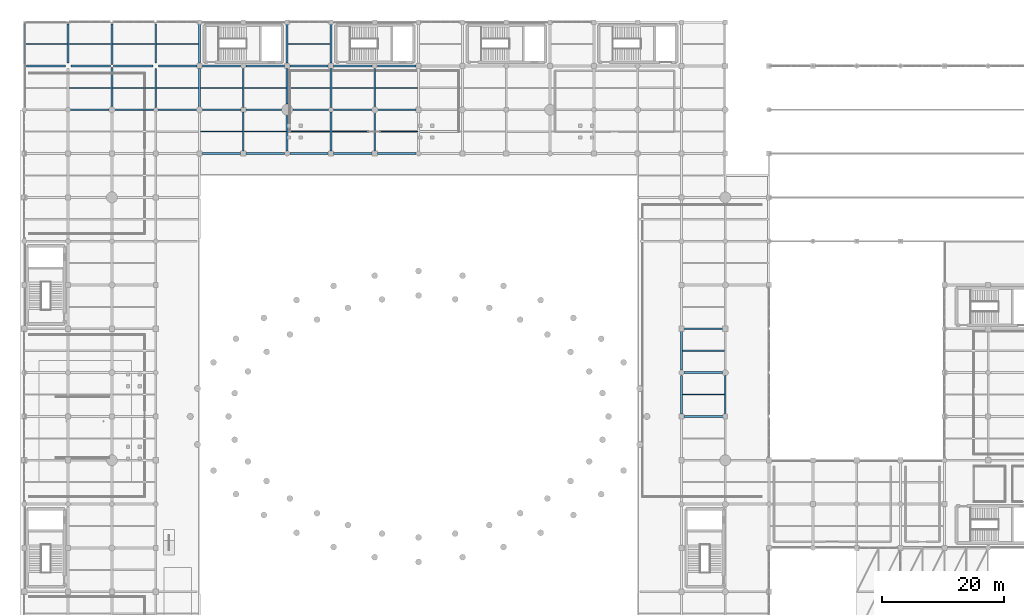
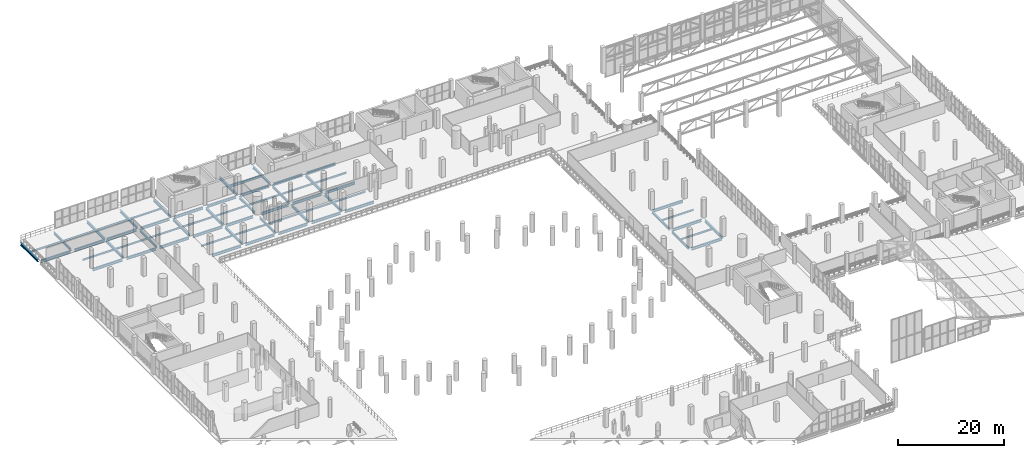
# One storey, part 52 of 153: 66 beams.
"""IFC4 building model written with IfcOpenShell, lengths in metres."""

from ifc_helpers import new_model, si_unit, direction, frame, origin, origin_2d, place, context, subcontext, project, spatial, i_section, extrude, material, material_profile, profile_set, type_object, element, save


model = new_model("IFC4")

# Units and contexts
model_context = context("Model", 3, precision=1e-05, world=origin(), true_north=direction((0.0, 1.0)))
body_context = subcontext(model_context, "Body", "Model", "MODEL_VIEW")
ifc_project = project(units=[si_unit("LENGTHUNIT", "METRE"), si_unit("AREAUNIT", "SQUARE_METRE"), si_unit("VOLUMEUNIT", "CUBIC_METRE"), si_unit("PLANEANGLEUNIT", "RADIAN"), si_unit("MASSUNIT", "GRAM", prefix="KILO")], contexts=[model_context])

# Site, building, storey
site_placement = place(None, origin())
site = spatial("IfcSite", under=ifc_project, at=site_placement, CompositionType="ELEMENT")
building_placement = place(site_placement, origin())
building = spatial("IfcBuilding", under=site, at=building_placement, Name="Qandorah Velis Arena", CompositionType="ELEMENT")
storey_placement = place(building_placement, frame((0.0, 0.0, 5.39990234375)))
storey = spatial("IfcBuildingStorey", under=building, at=storey_placement, Name="L01", CompositionType="ELEMENT", Elevation=5.39990234375)

# Beams
ifc_material = material(Name="Steel S355", Category="steel")
ifc_material_profile_1 = material_profile(ifc_material, i_section(OverallWidth=0.300048828125, OverallDepth=0.550048828125, WebThickness=0.014892578125, FlangeThickness=0.029052734375, FilletRadius=0.027099609375, at=origin_2d()), Name="HEB 550")
ifc_profile_set_1 = profile_set([ifc_material_profile_1], Name="Steel S355")
beam_type_1 = type_object("IfcBeamType", Name="STR-BM-HEB550", PredefinedType="BEAM", material=ifc_profile_set_1)
beam_1_placement = place(storey_placement, frame((0.0, 122.800048828125, -0.635009765625), z_axis=(0.0, 1.0, 0.0), x_axis=(-1.0, 0.0, 0.0)))
element("IfcBeam", 1, at=beam_1_placement, inside=storey, type_object=beam_type_1, Name="Primary floor girder L01 Y-237", PredefinedType="BEAM", context=body_context, shape_type="SweptSolid", body=[
    extrude(i_section(OverallWidth=0.300048828125, OverallDepth=0.550048828125, WebThickness=0.014892578125, FlangeThickness=0.029052734375, FilletRadius=0.027099609375, at=origin_2d()), origin(), (0.0, 0.0, 1.0), 6.5),
])
beam_2_placement = place(storey_placement, frame((7.199951171875, 122.85009765625, -0.635009765625), z_axis=(0.0, 1.0, 0.0), x_axis=(-1.0, 0.0, 0.0)))
element("IfcBeam", 2, at=beam_2_placement, inside=storey, type_object=beam_type_1, Name="Primary floor girder L01 Y-255", PredefinedType="BEAM", context=body_context, shape_type="SweptSolid", body=[
    extrude(i_section(OverallWidth=0.300048828125, OverallDepth=0.550048828125, WebThickness=0.014892578125, FlangeThickness=0.029052734375, FilletRadius=0.027099609375, at=origin_2d()), origin(), (0.0, 0.0, 1.0), 6.449951171875),
])
beam_3_placement = place(storey_placement, frame((14.39990234375, 115.64990234375, -0.635009765625), z_axis=(0.0, 1.0, 0.0), x_axis=(-1.0, 0.0, 0.0)))
element("IfcBeam", 3, at=beam_3_placement, inside=storey, type_object=beam_type_1, Name="Primary floor girder L01 Y-272", PredefinedType="BEAM", context=body_context, shape_type="SweptSolid", body=[
    extrude(i_section(OverallWidth=0.300048828125, OverallDepth=0.550048828125, WebThickness=0.014892578125, FlangeThickness=0.029052734375, FilletRadius=0.027099609375, at=origin_2d()), origin(), (0.0, 0.0, 1.0), 6.5),
])
beam_4_placement = place(storey_placement, frame((14.39990234375, 122.64990234375, -0.635009765625), z_axis=(0.0, 1.0, 0.0), x_axis=(-1.0, 0.0, 0.0)))
element("IfcBeam", 4, at=beam_4_placement, inside=storey, type_object=beam_type_1, Name="Primary floor girder L01 Y-273", PredefinedType="BEAM", context=body_context, shape_type="SweptSolid", body=[
    extrude(i_section(OverallWidth=0.300048828125, OverallDepth=0.550048828125, WebThickness=0.014892578125, FlangeThickness=0.029052734375, FilletRadius=0.027099609375, at=origin_2d()), origin(), (0.0, 0.0, 1.0), 6.650146484375),
])
beam_5_placement = place(storey_placement, frame((21.60009765625, 115.60009765625, -0.635009765625), z_axis=(0.0, 1.0, 0.0), x_axis=(-1.0, 0.0, 0.0)))
element("IfcBeam", 5, at=beam_5_placement, inside=storey, type_object=beam_type_1, Name="Primary floor girder L01 Y-290", PredefinedType="BEAM", context=body_context, shape_type="SweptSolid", body=[
    extrude(i_section(OverallWidth=0.300048828125, OverallDepth=0.550048828125, WebThickness=0.014892578125, FlangeThickness=0.029052734375, FilletRadius=0.027099609375, at=origin_2d()), origin(), (0.0, 0.0, 1.0), 6.349853515625),
])
beam_6_placement = place(storey_placement, frame((21.60009765625, 122.85009765625, -0.635009765625), z_axis=(0.0, 1.0, 0.0), x_axis=(-1.0, 0.0, 0.0)))
element("IfcBeam", 6, at=beam_6_placement, inside=storey, type_object=beam_type_1, Name="Primary floor girder L01 Y-291", PredefinedType="BEAM", context=body_context, shape_type="SweptSolid", body=[
    extrude(i_section(OverallWidth=0.300048828125, OverallDepth=0.550048828125, WebThickness=0.014892578125, FlangeThickness=0.029052734375, FilletRadius=0.027099609375, at=origin_2d()), origin(), (0.0, 0.0, 1.0), 6.449951171875),
])
beam_7_placement = place(storey_placement, frame((28.800048828125, 115.64990234375, -0.635009765625), z_axis=(0.0, 1.0, 0.0), x_axis=(-1.0, 0.0, 0.0)))
element("IfcBeam", 7, at=beam_7_placement, inside=storey, type_object=beam_type_1, Name="Primary floor girder L01 Y-300", PredefinedType="BEAM", context=body_context, shape_type="SweptSolid", body=[
    extrude(i_section(OverallWidth=0.300048828125, OverallDepth=0.550048828125, WebThickness=0.014892578125, FlangeThickness=0.029052734375, FilletRadius=0.027099609375, at=origin_2d()), origin(), (0.0, 0.0, 1.0), 6.300048828125),
])
beam_8_placement = place(storey_placement, frame((28.800048828125, 122.85009765625, -0.635009765625), z_axis=(0.0, 1.0, 0.0), x_axis=(-1.0, 0.0, 0.0)))
element("IfcBeam", 8, at=beam_8_placement, inside=storey, type_object=beam_type_1, Name="Primary floor girder L01 Y-301", PredefinedType="BEAM", context=body_context, shape_type="SweptSolid", body=[
    extrude(i_section(OverallWidth=0.300048828125, OverallDepth=0.550048828125, WebThickness=0.014892578125, FlangeThickness=0.029052734375, FilletRadius=0.027099609375, at=origin_2d()), origin(), (0.0, 0.0, 1.0), 6.449951171875),
])
beam_9_placement = place(storey_placement, frame((36.0, 108.449951171875, -0.635009765625), z_axis=(0.0, 1.0, 0.0), x_axis=(-1.0, 0.0, 0.0)))
element("IfcBeam", 9, at=beam_9_placement, inside=storey, type_object=beam_type_1, Name="Primary floor girder L01 Y-304", PredefinedType="BEAM", context=body_context, shape_type="SweptSolid", body=[
    extrude(i_section(OverallWidth=0.300048828125, OverallDepth=0.550048828125, WebThickness=0.014892578125, FlangeThickness=0.029052734375, FilletRadius=0.027099609375, at=origin_2d()), origin(), (0.0, 0.0, 1.0), 6.35009765625),
])
beam_10_placement = place(storey_placement, frame((36.0, 115.60009765625, -0.635009765625), z_axis=(0.0, 1.0, 0.0), x_axis=(-1.0, 0.0, 0.0)))
element("IfcBeam", 10, at=beam_10_placement, inside=storey, type_object=beam_type_1, Name="Primary floor girder L01 Y-305", PredefinedType="BEAM", context=body_context, shape_type="SweptSolid", body=[
    extrude(i_section(OverallWidth=0.300048828125, OverallDepth=0.550048828125, WebThickness=0.014892578125, FlangeThickness=0.029052734375, FilletRadius=0.027099609375, at=origin_2d()), origin(), (0.0, 0.0, 1.0), 6.349853515625),
])
for number, where, z_axis, x_axis, name in (
    (11, (43.199951171875, 108.449951171875, -0.635009765625), (0.0, 1.0, 0.0), (-1.0, 0.0, 0.0), "Primary floor girder L01 Y-309"),
    (12, (43.199951171875, 116.14990234375, -0.635009765625), (0.0, 1.0, 0.0), (-1.0, 0.0, 0.0), "Primary floor girder L01 Y-310"),
):
    element("IfcBeam", number, at=place(storey_placement, frame(where, z_axis=z_axis, x_axis=x_axis)), inside=storey, type_object=beam_type_1, Name=name, PredefinedType="BEAM", context=body_context, shape_type="SweptSolid", body=[
        extrude(i_section(OverallWidth=0.300048828125, OverallDepth=0.550048828125, WebThickness=0.014892578125, FlangeThickness=0.029052734375, FilletRadius=0.027099609375, at=origin_2d()), origin(), (0.0, 0.0, 1.0), 5.800048828125),
    ])
beam_11_placement = place(storey_placement, frame((43.199951171875, 122.85009765625, -0.635009765625), z_axis=(0.0, 1.0, 0.0), x_axis=(-1.0, 0.0, 0.0)))
element("IfcBeam", 13, at=beam_11_placement, inside=storey, type_object=beam_type_1, Name="Primary floor girder L01 Y-311", PredefinedType="BEAM", context=body_context, shape_type="SweptSolid", body=[
    extrude(i_section(OverallWidth=0.300048828125, OverallDepth=0.550048828125, WebThickness=0.014892578125, FlangeThickness=0.029052734375, FilletRadius=0.027099609375, at=origin_2d()), origin(), (0.0, 0.0, 1.0), 6.449951171875),
])
beam_12_placement = place(storey_placement, frame((50.39990234375, 108.449951171875, -0.635009765625), z_axis=(0.0, 1.0, 0.0), x_axis=(-1.0, 0.0, 0.0)))
element("IfcBeam", 14, at=beam_12_placement, inside=storey, type_object=beam_type_1, Name="Primary floor girder L01 Y-315", PredefinedType="BEAM", context=body_context, shape_type="SweptSolid", body=[
    extrude(i_section(OverallWidth=0.300048828125, OverallDepth=0.550048828125, WebThickness=0.014892578125, FlangeThickness=0.029052734375, FilletRadius=0.027099609375, at=origin_2d()), origin(), (0.0, 0.0, 1.0), 6.35009765625),
])
beam_13_placement = place(storey_placement, frame((50.39990234375, 115.60009765625, -0.635009765625), z_axis=(0.0, 1.0, 0.0), x_axis=(-1.0, 0.0, 0.0)))
element("IfcBeam", 15, at=beam_13_placement, inside=storey, type_object=beam_type_1, Name="Primary floor girder L01 Y-316", PredefinedType="BEAM", context=body_context, shape_type="SweptSolid", body=[
    extrude(i_section(OverallWidth=0.300048828125, OverallDepth=0.550048828125, WebThickness=0.014892578125, FlangeThickness=0.029052734375, FilletRadius=0.027099609375, at=origin_2d()), origin(), (0.0, 0.0, 1.0), 6.349853515625),
])
beam_14_placement = place(storey_placement, frame((50.39990234375, 122.85009765625, -0.635009765625), z_axis=(0.0, 1.0, 0.0), x_axis=(-1.0, 0.0, 0.0)))
element("IfcBeam", 16, at=beam_14_placement, inside=storey, type_object=beam_type_1, Name="Primary floor girder L01 Y-317", PredefinedType="BEAM", context=body_context, shape_type="SweptSolid", body=[
    extrude(i_section(OverallWidth=0.300048828125, OverallDepth=0.550048828125, WebThickness=0.014892578125, FlangeThickness=0.029052734375, FilletRadius=0.027099609375, at=origin_2d()), origin(), (0.0, 0.0, 1.0), 6.449951171875),
])
for number, where, z_axis, x_axis, name in (
    (17, (57.60009765625, 108.449951171875, -0.635009765625), (0.0, 1.0, 0.0), (-1.0, 0.0, 0.0), "Primary floor girder L01 Y-320"),
    (18, (57.60009765625, 115.64990234375, -0.635009765625), (0.0, 1.0, 0.0), (-1.0, 0.0, 0.0), "Primary floor girder L01 Y-321"),
):
    element("IfcBeam", number, at=place(storey_placement, frame(where, z_axis=z_axis, x_axis=x_axis)), inside=storey, type_object=beam_type_1, Name=name, PredefinedType="BEAM", context=body_context, shape_type="SweptSolid", body=[
        extrude(i_section(OverallWidth=0.300048828125, OverallDepth=0.550048828125, WebThickness=0.014892578125, FlangeThickness=0.029052734375, FilletRadius=0.027099609375, at=origin_2d()), origin(), (0.0, 0.0, 1.0), 6.300048828125),
    ])
beam_15_placement = place(storey_placement, frame((108.0, 65.199951171875, -0.635009765625), z_axis=(0.0, 1.0, 0.0), x_axis=(-1.0, 0.0, 0.0)))
element("IfcBeam", 19, at=beam_15_placement, inside=storey, type_object=beam_type_1, Name="Primary floor girder L01 Y-368", PredefinedType="BEAM", context=body_context, shape_type="SweptSolid", body=[
    extrude(i_section(OverallWidth=0.300048828125, OverallDepth=0.550048828125, WebThickness=0.014892578125, FlangeThickness=0.029052734375, FilletRadius=0.027099609375, at=origin_2d()), origin(), (0.0, 0.0, 1.0), 6.35009765625),
])
for number, where, z_axis, x_axis, name in (
    (20, (108.0, 72.449951171875, -0.635009765625), (0.0, 1.0, 0.0), (-1.0, 0.0, 0.0), "Primary floor girder L01 Y-369"),
    (21, (115.199951171875, 65.050048828125, -0.635009765625), (0.0, 1.0, 0.0), (-1.0, 0.0, 0.0), "Primary floor girder L01 Y-385"),
):
    element("IfcBeam", number, at=place(storey_placement, frame(where, z_axis=z_axis, x_axis=x_axis)), inside=storey, type_object=beam_type_1, Name=name, PredefinedType="BEAM", context=body_context, shape_type="SweptSolid", body=[
        extrude(i_section(OverallWidth=0.300048828125, OverallDepth=0.550048828125, WebThickness=0.014892578125, FlangeThickness=0.029052734375, FilletRadius=0.027099609375, at=origin_2d()), origin(), (0.0, 0.0, 1.0), 6.5),
    ])
ifc_material_profile_2 = material_profile(ifc_material, i_section(OverallWidth=0.300048828125, OverallDepth=0.60009765625, WebThickness=0.015380859375, FlangeThickness=0.030029296875, FilletRadius=0.027099609375, at=origin_2d()), Name="HEB 600")
ifc_profile_set_2 = profile_set([ifc_material_profile_2], Name="Steel S355")
beam_type_2 = type_object("IfcBeamType", Name="STR-BM-HEB600", PredefinedType="BEAM", material=ifc_profile_set_2)
beam_16_placement = place(storey_placement, frame((108.39990234375, 64.800048828125, -0.659912109375), z_axis=(1.0, 0.0, 0.0), x_axis=(0.0, 1.0, 0.0)))
element("IfcBeam", 22, at=beam_16_placement, inside=storey, type_object=beam_type_2, Name="Primary floor girder L01 X-112", PredefinedType="BEAM", context=body_context, shape_type="SweptSolid", body=[
    extrude(i_section(OverallWidth=0.300048828125, OverallDepth=0.60009765625, WebThickness=0.015380859375, FlangeThickness=0.030029296875, FilletRadius=0.027099609375, at=origin_2d()), origin(), (0.0, 0.0, 1.0), 6.550048828125),
])
beam_17_placement = place(storey_placement, frame((108.449951171875, 72.0, -0.659912109375), z_axis=(1.0, 0.0, 0.0), x_axis=(0.0, 1.0, 0.0)))
element("IfcBeam", 23, at=beam_17_placement, inside=storey, type_object=beam_type_2, Name="Primary floor girder L01 X-119", PredefinedType="BEAM", context=body_context, shape_type="SweptSolid", body=[
    extrude(i_section(OverallWidth=0.300048828125, OverallDepth=0.60009765625, WebThickness=0.015380859375, FlangeThickness=0.030029296875, FilletRadius=0.027099609375, at=origin_2d()), origin(), (0.0, 0.0, 1.0), 6.300048828125),
])
beam_18_placement = place(storey_placement, frame((108.25, 79.199951171875, -0.659912109375), z_axis=(1.0, 0.0, 0.0), x_axis=(0.0, 1.0, 0.0)))
element("IfcBeam", 24, at=beam_18_placement, inside=storey, type_object=beam_type_2, Name="Primary floor girder L01 X-126", PredefinedType="BEAM", context=body_context, shape_type="SweptSolid", body=[
    extrude(i_section(OverallWidth=0.300048828125, OverallDepth=0.60009765625, WebThickness=0.015380859375, FlangeThickness=0.030029296875, FilletRadius=0.027099609375, at=origin_2d()), origin(), (0.0, 0.0, 1.0), 6.550048828125),
])
for number, where, z_axis, x_axis, name in (
    (25, (29.25, 108.0, -0.659912109375), (1.0, 0.0, 0.0), (0.0, 1.0, 0.0), "Primary floor girder L01 X-157"),
    (26, (36.449951171875, 108.0, -0.659912109375), (1.0, 0.0, 0.0), (0.0, 1.0, 0.0), "Primary floor girder L01 X-158"),
    (27, (43.64990234375, 108.0, -0.659912109375), (1.0, 0.0, 0.0), (0.0, 1.0, 0.0), "Primary floor girder L01 X-159"),
):
    element("IfcBeam", number, at=place(storey_placement, frame(where, z_axis=z_axis, x_axis=x_axis)), inside=storey, type_object=beam_type_2, Name=name, PredefinedType="BEAM", context=body_context, shape_type="SweptSolid", body=[
        extrude(i_section(OverallWidth=0.300048828125, OverallDepth=0.60009765625, WebThickness=0.015380859375, FlangeThickness=0.030029296875, FilletRadius=0.027099609375, at=origin_2d()), origin(), (0.0, 0.0, 1.0), 6.300048828125),
    ])
beam_19_placement = place(storey_placement, frame((50.85009765625, 108.0, -0.659912109375), z_axis=(1.0, 0.0, 0.0), x_axis=(0.0, 1.0, 0.0)))
element("IfcBeam", 28, at=beam_19_placement, inside=storey, type_object=beam_type_2, Name="Primary floor girder L01 X-160", PredefinedType="BEAM", context=body_context, shape_type="SweptSolid", body=[
    extrude(i_section(OverallWidth=0.300048828125, OverallDepth=0.60009765625, WebThickness=0.015380859375, FlangeThickness=0.030029296875, FilletRadius=0.027099609375, at=origin_2d()), origin(), (0.0, 0.0, 1.0), 6.2998046875),
])
beam_20_placement = place(storey_placement, frame((58.050048828125, 108.0, -0.659912109375), z_axis=(1.0, 0.0, 0.0), x_axis=(0.0, 1.0, 0.0)))
element("IfcBeam", 29, at=beam_20_placement, inside=storey, type_object=beam_type_2, Name="Primary floor girder L01 X-161", PredefinedType="BEAM", context=body_context, shape_type="SweptSolid", body=[
    extrude(i_section(OverallWidth=0.300048828125, OverallDepth=0.60009765625, WebThickness=0.015380859375, FlangeThickness=0.030029296875, FilletRadius=0.027099609375, at=origin_2d()), origin(), (0.0, 0.0, 1.0), 6.300048828125),
])
beam_21_placement = place(storey_placement, frame((7.449951171875, 115.199951171875, -0.659912109375), z_axis=(1.0, 0.0, 0.0), x_axis=(0.0, 1.0, 0.0)))
element("IfcBeam", 30, at=beam_21_placement, inside=storey, type_object=beam_type_2, Name="Primary floor girder L01 X-171", PredefinedType="BEAM", context=body_context, shape_type="SweptSolid", body=[
    extrude(i_section(OverallWidth=0.300048828125, OverallDepth=0.60009765625, WebThickness=0.015380859375, FlangeThickness=0.030029296875, FilletRadius=0.027099609375, at=origin_2d()), origin(), (0.0, 0.0, 1.0), 6.5),
])
beam_22_placement = place(storey_placement, frame((14.85009765625, 115.199951171875, -0.659912109375), z_axis=(1.0, 0.0, 0.0), x_axis=(0.0, 1.0, 0.0)))
element("IfcBeam", 31, at=beam_22_placement, inside=storey, type_object=beam_type_2, Name="Primary floor girder L01 X-172", PredefinedType="BEAM", context=body_context, shape_type="SweptSolid", body=[
    extrude(i_section(OverallWidth=0.300048828125, OverallDepth=0.60009765625, WebThickness=0.015380859375, FlangeThickness=0.030029296875, FilletRadius=0.027099609375, at=origin_2d()), origin(), (0.0, 0.0, 1.0), 6.349853515625),
])
for number, where, z_axis, x_axis, name in (
    (32, (22.0, 115.199951171875, -0.659912109375), (1.0, 0.0, 0.0), (0.0, 1.0, 0.0), "Primary floor girder L01 X-173"),
    (33, (29.25, 115.199951171875, -0.659912109375), (1.0, 0.0, 0.0), (0.0, 1.0, 0.0), "Primary floor girder L01 X-174"),
):
    element("IfcBeam", number, at=place(storey_placement, frame(where, z_axis=z_axis, x_axis=x_axis)), inside=storey, type_object=beam_type_2, Name=name, PredefinedType="BEAM", context=body_context, shape_type="SweptSolid", body=[
        extrude(i_section(OverallWidth=0.300048828125, OverallDepth=0.60009765625, WebThickness=0.015380859375, FlangeThickness=0.030029296875, FilletRadius=0.027099609375, at=origin_2d()), origin(), (0.0, 0.0, 1.0), 6.35009765625),
    ])
for number, where, z_axis, x_axis, name in (
    (34, (36.39990234375, 115.199951171875, -0.659912109375), (1.0, 0.0, 0.0), (0.0, 1.0, 0.0), "Primary floor girder L01 X-175"),
    (35, (44.14990234375, 115.199951171875, -0.659912109375), (1.0, 0.0, 0.0), (0.0, 1.0, 0.0), "Primary floor girder L01 X-176"),
):
    element("IfcBeam", number, at=place(storey_placement, frame(where, z_axis=z_axis, x_axis=x_axis)), inside=storey, type_object=beam_type_2, Name=name, PredefinedType="BEAM", context=body_context, shape_type="SweptSolid", body=[
        extrude(i_section(OverallWidth=0.300048828125, OverallDepth=0.60009765625, WebThickness=0.015380859375, FlangeThickness=0.030029296875, FilletRadius=0.027099609375, at=origin_2d()), origin(), (0.0, 0.0, 1.0), 5.85009765625),
    ])
for number, where, z_axis, x_axis, name in (
    (36, (50.800048828125, 115.199951171875, -0.659912109375), (1.0, 0.0, 0.0), (0.0, 1.0, 0.0), "Primary floor girder L01 X-177"),
    (37, (58.050048828125, 115.199951171875, -0.659912109375), (1.0, 0.0, 0.0), (0.0, 1.0, 0.0), "Primary floor girder L01 X-178"),
):
    element("IfcBeam", number, at=place(storey_placement, frame(where, z_axis=z_axis, x_axis=x_axis)), inside=storey, type_object=beam_type_2, Name=name, PredefinedType="BEAM", context=body_context, shape_type="SweptSolid", body=[
        extrude(i_section(OverallWidth=0.300048828125, OverallDepth=0.60009765625, WebThickness=0.015380859375, FlangeThickness=0.030029296875, FilletRadius=0.027099609375, at=origin_2d()), origin(), (0.0, 0.0, 1.0), 6.349853515625),
    ])
beam_23_placement = place(storey_placement, frame((0.39990234375, 122.39990234375, -0.659912109375), z_axis=(1.0, 0.0, 0.0), x_axis=(0.0, 1.0, 0.0)))
element("IfcBeam", 38, at=beam_23_placement, inside=storey, type_object=beam_type_2, Name="Primary floor girder L01 X-187", PredefinedType="BEAM", context=body_context, shape_type="SweptSolid", body=[
    extrude(i_section(OverallWidth=0.300048828125, OverallDepth=0.60009765625, WebThickness=0.015380859375, FlangeThickness=0.030029296875, FilletRadius=0.027099609375, at=origin_2d()), origin(), (0.0, 0.0, 1.0), 6.35009765625),
])
for number, where, z_axis, x_axis, name in (
    (39, (7.64990234375, 122.39990234375, -0.659912109375), (1.0, 0.0, 0.0), (0.0, 1.0, 0.0), "Primary floor girder L01 X-188"),
    (40, (14.64990234375, 122.39990234375, -0.659912109375), (1.0, 0.0, 0.0), (0.0, 1.0, 0.0), "Primary floor girder L01 X-189"),
):
    element("IfcBeam", number, at=place(storey_placement, frame(where, z_axis=z_axis, x_axis=x_axis)), inside=storey, type_object=beam_type_2, Name=name, PredefinedType="BEAM", context=body_context, shape_type="SweptSolid", body=[
        extrude(i_section(OverallWidth=0.300048828125, OverallDepth=0.60009765625, WebThickness=0.015380859375, FlangeThickness=0.030029296875, FilletRadius=0.027099609375, at=origin_2d()), origin(), (0.0, 0.0, 1.0), 6.5),
    ])
for number, where, z_axis, x_axis, name in (
    (41, (22.050048828125, 122.39990234375, -0.659912109375), (1.0, 0.0, 0.0), (0.0, 1.0, 0.0), "Primary floor girder L01 X-190"),
    (42, (29.25, 122.39990234375, -0.659912109375), (1.0, 0.0, 0.0), (0.0, 1.0, 0.0), "Primary floor girder L01 X-191"),
    (43, (36.449951171875, 122.39990234375, -0.659912109375), (1.0, 0.0, 0.0), (0.0, 1.0, 0.0), "Primary floor girder L01 X-192"),
    (44, (43.64990234375, 122.39990234375, -0.659912109375), (1.0, 0.0, 0.0), (0.0, 1.0, 0.0), "Primary floor girder L01 X-193"),
):
    element("IfcBeam", number, at=place(storey_placement, frame(where, z_axis=z_axis, x_axis=x_axis)), inside=storey, type_object=beam_type_2, Name=name, PredefinedType="BEAM", context=body_context, shape_type="SweptSolid", body=[
        extrude(i_section(OverallWidth=0.300048828125, OverallDepth=0.60009765625, WebThickness=0.015380859375, FlangeThickness=0.030029296875, FilletRadius=0.027099609375, at=origin_2d()), origin(), (0.0, 0.0, 1.0), 6.300048828125),
    ])
beam_24_placement = place(storey_placement, frame((50.85009765625, 122.39990234375, -0.659912109375), z_axis=(1.0, 0.0, 0.0), x_axis=(0.0, 1.0, 0.0)))
element("IfcBeam", 45, at=beam_24_placement, inside=storey, type_object=beam_type_2, Name="Primary floor girder L01 X-194", PredefinedType="BEAM", context=body_context, shape_type="SweptSolid", body=[
    extrude(i_section(OverallWidth=0.300048828125, OverallDepth=0.60009765625, WebThickness=0.015380859375, FlangeThickness=0.030029296875, FilletRadius=0.027099609375, at=origin_2d()), origin(), (0.0, 0.0, 1.0), 6.2998046875),
])
beam_25_placement = place(storey_placement, frame((58.050048828125, 122.39990234375, -0.659912109375), z_axis=(1.0, 0.0, 0.0), x_axis=(0.0, 1.0, 0.0)))
element("IfcBeam", 46, at=beam_25_placement, inside=storey, type_object=beam_type_2, Name="Primary floor girder L01 X-195", PredefinedType="BEAM", context=body_context, shape_type="SweptSolid", body=[
    extrude(i_section(OverallWidth=0.300048828125, OverallDepth=0.60009765625, WebThickness=0.015380859375, FlangeThickness=0.030029296875, FilletRadius=0.027099609375, at=origin_2d()), origin(), (0.0, 0.0, 1.0), 6.300048828125),
])
ifc_material_profile_3 = material_profile(ifc_material, i_section(OverallWidth=0.179931640625, OverallDepth=0.39990234375, WebThickness=0.008544921875, FlangeThickness=0.013427734375, FilletRadius=0.02099609375, at=origin_2d()), Name="IPE 400")
ifc_profile_set_3 = profile_set([ifc_material_profile_3], Name="Steel S355")
beam_type_3 = type_object("IfcBeamType", Name="STR-JST-IPE400", PredefinedType="JOIST", material=ifc_profile_set_3)
for number, where, z_axis, x_axis, name in (
    (47, (0.135009765625, 126.0, -0.559814453125), (1.0, 0.0, 0.0), (0.0, 1.0, 0.0), "Secondary floor joist L01-014"),
    (48, (7.3349609375, 118.800048828125, -0.559814453125), (1.0, 0.0, 0.0), (0.0, 1.0, 0.0), "Secondary floor joist L01-031"),
    (49, (7.3349609375, 126.0, -0.559814453125), (1.0, 0.0, 0.0), (0.0, 1.0, 0.0), "Secondary floor joist L01-032"),
):
    element("IfcBeam", number, at=place(storey_placement, frame(where, z_axis=z_axis, x_axis=x_axis)), inside=storey, type_object=beam_type_3, Name=name, PredefinedType="JOIST", context=body_context, shape_type="SweptSolid", body=[
        extrude(i_section(OverallWidth=0.179931640625, OverallDepth=0.39990234375, WebThickness=0.008544921875, FlangeThickness=0.013427734375, FilletRadius=0.02099609375, at=origin_2d()), origin(), (0.0, 0.0, 1.0), 6.929931640625),
    ])
for number, where, z_axis, x_axis, name in (
    (50, (14.534912109375, 118.800048828125, -0.559814453125), (1.0, 0.0, 0.0), (0.0, 1.0, 0.0), "Secondary floor joist L01-049"),
    (51, (14.534912109375, 126.0, -0.559814453125), (1.0, 0.0, 0.0), (0.0, 1.0, 0.0), "Secondary floor joist L01-050"),
):
    element("IfcBeam", number, at=place(storey_placement, frame(where, z_axis=z_axis, x_axis=x_axis)), inside=storey, type_object=beam_type_3, Name=name, PredefinedType="JOIST", context=body_context, shape_type="SweptSolid", body=[
        extrude(i_section(OverallWidth=0.179931640625, OverallDepth=0.39990234375, WebThickness=0.008544921875, FlangeThickness=0.013427734375, FilletRadius=0.02099609375, at=origin_2d()), origin(), (0.0, 0.0, 1.0), 6.93017578125),
    ])
for number, where, z_axis, x_axis, name in (
    (52, (21.735107421875, 118.800048828125, -0.559814453125), (1.0, 0.0, 0.0), (0.0, 1.0, 0.0), "Secondary floor joist L01-059"),
    (53, (21.735107421875, 126.0, -0.559814453125), (1.0, 0.0, 0.0), (0.0, 1.0, 0.0), "Secondary floor joist L01-060"),
    (54, (28.93505859375, 111.60009765625, -0.559814453125), (1.0, 0.0, 0.0), (0.0, 1.0, 0.0), "Secondary floor joist L01-063"),
    (55, (28.93505859375, 118.800048828125, -0.559814453125), (1.0, 0.0, 0.0), (0.0, 1.0, 0.0), "Secondary floor joist L01-064"),
    (56, (36.135009765625, 111.60009765625, -0.559814453125), (1.0, 0.0, 0.0), (0.0, 1.0, 0.0), "Secondary floor joist L01-067"),
    (57, (36.135009765625, 118.800048828125, -0.559814453125), (1.0, 0.0, 0.0), (0.0, 1.0, 0.0), "Secondary floor joist L01-068"),
    (58, (43.3349609375, 111.60009765625, -0.559814453125), (1.0, 0.0, 0.0), (0.0, 1.0, 0.0), "Secondary floor joist L01-072"),
    (59, (43.3349609375, 118.800048828125, -0.559814453125), (1.0, 0.0, 0.0), (0.0, 1.0, 0.0), "Secondary floor joist L01-073"),
):
    element("IfcBeam", number, at=place(storey_placement, frame(where, z_axis=z_axis, x_axis=x_axis)), inside=storey, type_object=beam_type_3, Name=name, PredefinedType="JOIST", context=body_context, shape_type="SweptSolid", body=[
        extrude(i_section(OverallWidth=0.179931640625, OverallDepth=0.39990234375, WebThickness=0.008544921875, FlangeThickness=0.013427734375, FilletRadius=0.02099609375, at=origin_2d()), origin(), (0.0, 0.0, 1.0), 6.929931640625),
    ])
for number, where, z_axis, x_axis, name in (
    (60, (50.534912109375, 111.60009765625, -0.559814453125), (1.0, 0.0, 0.0), (0.0, 1.0, 0.0), "Secondary floor joist L01-077"),
    (61, (50.534912109375, 118.800048828125, -0.559814453125), (1.0, 0.0, 0.0), (0.0, 1.0, 0.0), "Secondary floor joist L01-078"),
):
    element("IfcBeam", number, at=place(storey_placement, frame(where, z_axis=z_axis, x_axis=x_axis)), inside=storey, type_object=beam_type_3, Name=name, PredefinedType="JOIST", context=body_context, shape_type="SweptSolid", body=[
        extrude(i_section(OverallWidth=0.179931640625, OverallDepth=0.39990234375, WebThickness=0.008544921875, FlangeThickness=0.013427734375, FilletRadius=0.02099609375, at=origin_2d()), origin(), (0.0, 0.0, 1.0), 6.93017578125),
    ])
for number, where, z_axis, x_axis, name in (
    (62, (57.735107421875, 111.60009765625, -0.559814453125), (1.0, 0.0, 0.0), (0.0, 1.0, 0.0), "Secondary floor joist L01-081"),
    (63, (57.735107421875, 118.800048828125, -0.559814453125), (1.0, 0.0, 0.0), (0.0, 1.0, 0.0), "Secondary floor joist L01-082"),
    (64, (108.135009765625, 68.39990234375, -0.559814453125), (1.0, 0.0, 0.0), (0.0, 1.0, 0.0), "Secondary floor joist L01-124"),
    (65, (108.135009765625, 75.60009765625, -0.559814453125), (1.0, 0.0, 0.0), (0.0, 1.0, 0.0), "Secondary floor joist L01-125"),
):
    element("IfcBeam", number, at=place(storey_placement, frame(where, z_axis=z_axis, x_axis=x_axis)), inside=storey, type_object=beam_type_3, Name=name, PredefinedType="JOIST", context=body_context, shape_type="SweptSolid", body=[
        extrude(i_section(OverallWidth=0.179931640625, OverallDepth=0.39990234375, WebThickness=0.008544921875, FlangeThickness=0.013427734375, FilletRadius=0.02099609375, at=origin_2d()), origin(), (0.0, 0.0, 1.0), 6.929931640625),
    ])
ifc_material_profile_4 = material_profile(ifc_material, i_section(OverallWidth=0.219970703125, OverallDepth=0.60009765625, WebThickness=0.011962890625, FlangeThickness=0.01904296875, FilletRadius=0.02392578125, at=origin_2d()), Name="IPE 600")
ifc_profile_set_4 = profile_set([ifc_material_profile_4], Name="Steel S355")
beam_type_4 = type_object("IfcBeamType", Name="STR-JST-IPE600", PredefinedType="JOIST", material=ifc_profile_set_4)
beam_26_placement = place(storey_placement, frame((43.3349609375, 126.0, -0.659912109375), z_axis=(1.0, 0.0, 0.0), x_axis=(0.0, 1.0, 0.0)))
element("IfcBeam", 66, at=beam_26_placement, inside=storey, type_object=beam_type_4, Name="Secondary floor joist L01-074", PredefinedType="JOIST", context=body_context, shape_type="SweptSolid", body=[
    extrude(i_section(OverallWidth=0.219970703125, OverallDepth=0.60009765625, WebThickness=0.011962890625, FlangeThickness=0.01904296875, FilletRadius=0.02392578125, at=origin_2d()), origin(), (0.0, 0.0, 1.0), 6.929931640625),
])

save(model, "model.ifc")
